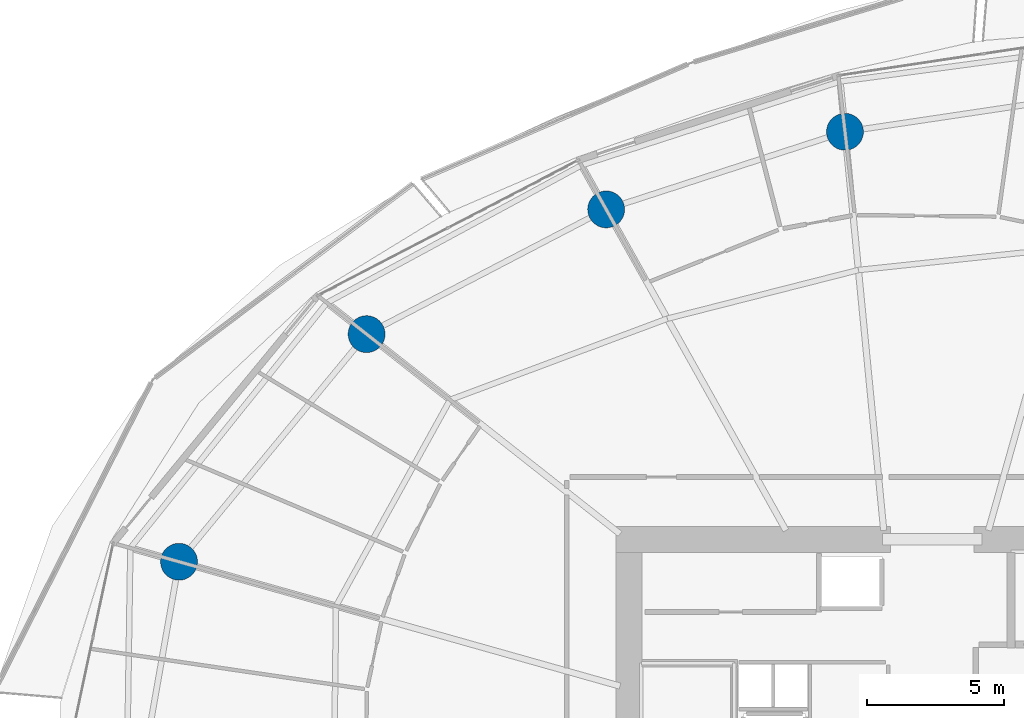
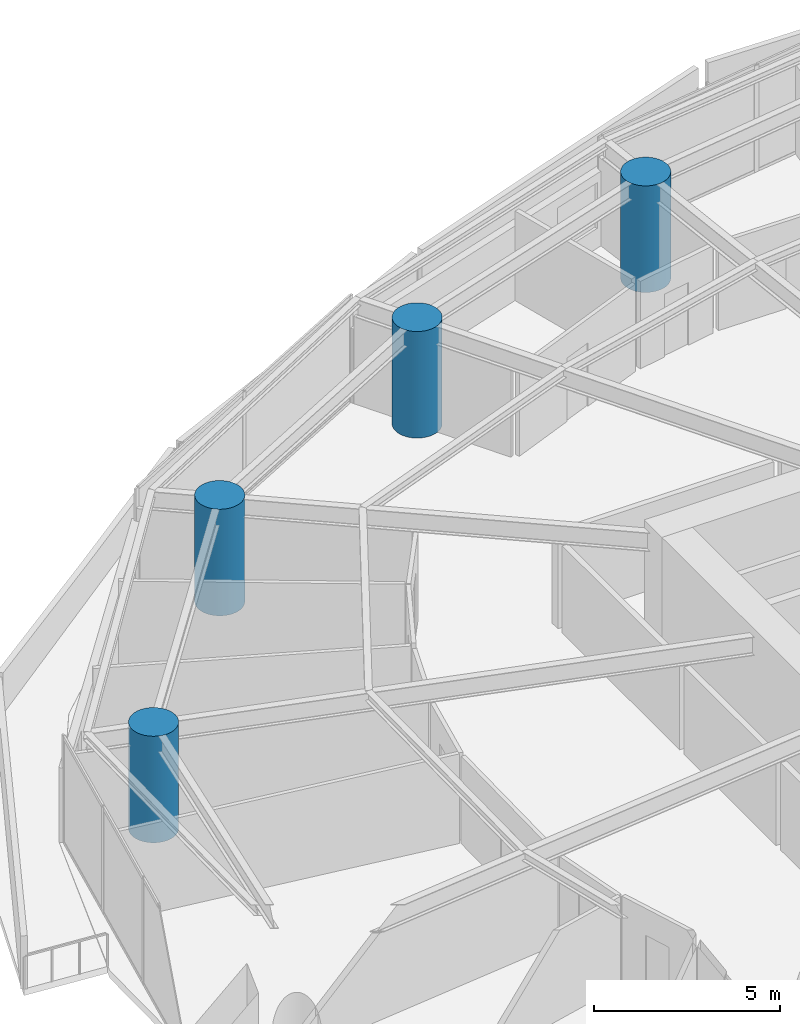
# One storey, part 4 of 31: 4 columns.
"""IFC4 building model written with IfcOpenShell, lengths in metres."""

from ifc_helpers import new_model, si_unit, direction, frame, origin, origin_2d, place, context, subcontext, project, spatial, circle, extrude, material, material_profile, profile_set, type_object, element, save


model = new_model("IFC4")

# Units and contexts
model_context = context("Model", 3, precision=1e-05, world=origin(), true_north=direction((0.0, 1.0)))
body_context = subcontext(model_context, "Body", "Model", "MODEL_VIEW")
ifc_project = project(units=[si_unit("LENGTHUNIT", "METRE"), si_unit("AREAUNIT", "SQUARE_METRE"), si_unit("VOLUMEUNIT", "CUBIC_METRE"), si_unit("PLANEANGLEUNIT", "RADIAN"), si_unit("MASSUNIT", "GRAM", prefix="KILO")], contexts=[model_context])

# Site, building, storey
site_placement = place(None, origin())
site = spatial("IfcSite", under=ifc_project, at=site_placement, CompositionType="ELEMENT")
building_placement = place(site_placement, origin())
building = spatial("IfcBuilding", under=site, at=building_placement, Name="Kazma Halo Residences", CompositionType="ELEMENT")
storey_placement = place(building_placement, frame((0.0, 0.0, 37.64990234375)))
storey = spatial("IfcBuildingStorey", under=building, at=storey_placement, Name="L08", CompositionType="ELEMENT", Elevation=37.64990234375)

# Columns
ifc_material = material(Name="Concrete C80/95", Category="concrete")
ifc_material_profile = material_profile(ifc_material, circle(Radius=0.675048828125, at=origin_2d()), Name="CIRC1350")
ifc_profile_set = profile_set([ifc_material_profile], Name="Concrete C80/95")
column_type = type_object("IfcColumnType", Name="COL-PERIM-1350", PredefinedType="COLUMN", material=ifc_profile_set)
for number, where, z_axis, x_axis, name in (
    (1, (45.231689453125, 65.389404296875, 0.0), (0.0, 0.0, 1.0), (1.0, 0.0, 0.0), "L08 perimeter ring column P04"),
    (2, (36.49169921875, 62.549560546875, 0.0), (0.0, 0.0, 1.0), (1.0, 0.0, 0.0), "L08 perimeter ring column P05"),
    (3, (27.72412109375, 57.984130859375, 0.0), (0.0, 0.0, 1.0), (1.0, 0.0, 0.0), "L08 perimeter ring column P06"),
    (4, (20.859130859375, 49.654541015625, 0.0), (0.0, 0.0, 1.0), (1.0, 0.0, 0.0), "L08 perimeter ring column P07"),
):
    element("IfcColumn", number, at=place(storey_placement, frame(where, z_axis=z_axis, x_axis=x_axis)), inside=storey, type_object=column_type, Name=name, PredefinedType="COLUMN", context=body_context, shape_type="SweptSolid", body=[
        extrude(circle(Radius=0.675048828125, at=origin_2d()), origin(), (0.0, 0.0, 1.0), 3.5),
    ])

save(model, "model.ifc")
